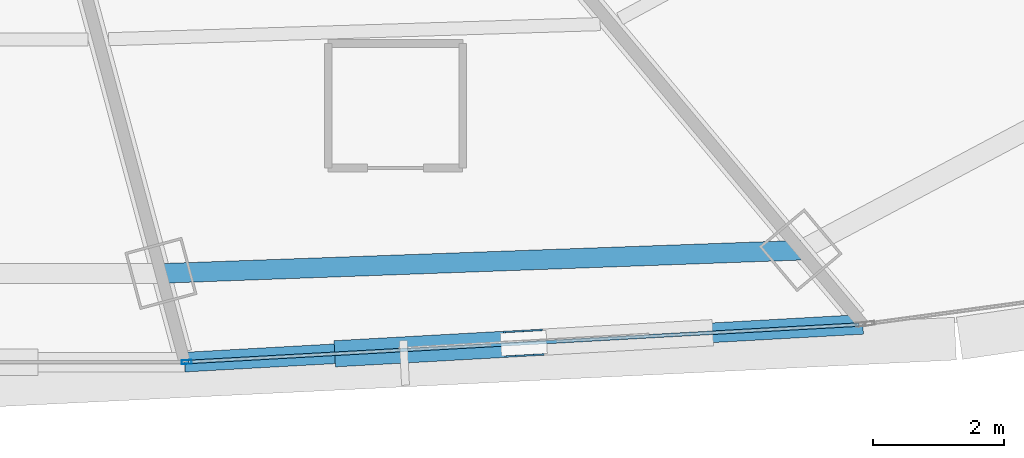
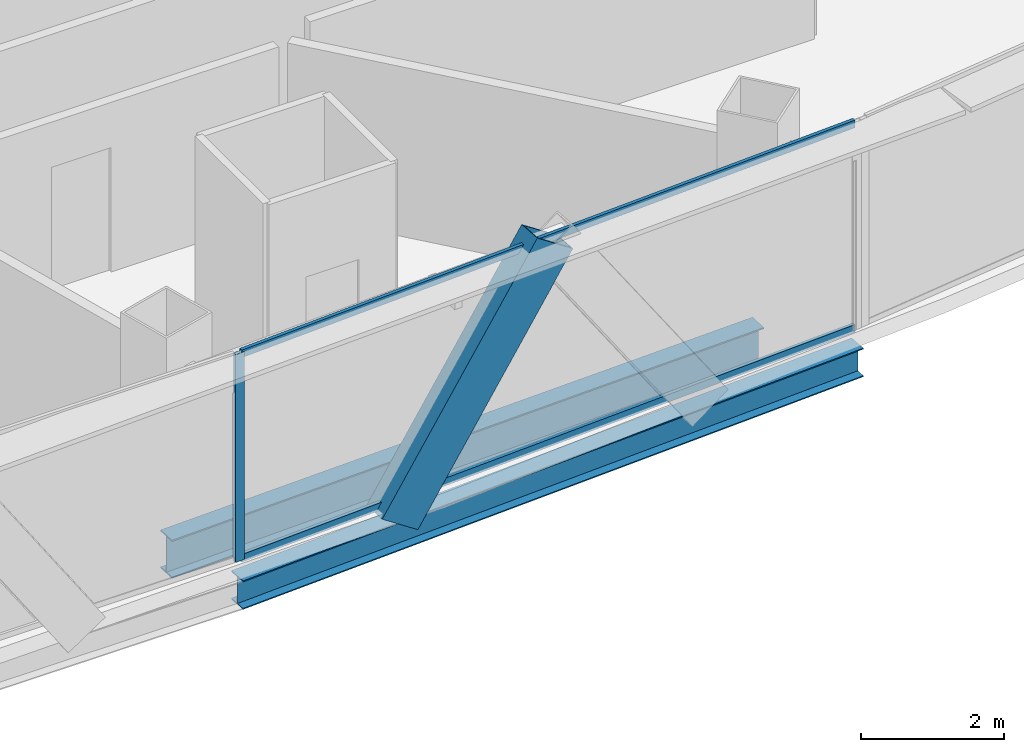
# One storey, part 12 of 36: 4 members, 2 beams, 1 element without a shape of its own.
"""IFC4 building model written with IfcOpenShell, lengths in metres."""

from ifc_helpers import new_model, si_unit, direction, frame, origin, origin_2d, place, context, subcontext, project, spatial, hollow_rectangle, i_section, extrude, source, transform, mapped, material, layer, layer_set, material_profile, profile_set, type_object, element, aggregate, save


model = new_model("IFC4")

# Units and contexts
model_context = context("Model", 3, precision=1e-05, world=origin(), true_north=direction((0.0, 1.0)))
body_context = subcontext(model_context, "Body", "Model", "MODEL_VIEW")
ifc_project = project(units=[si_unit("LENGTHUNIT", "METRE"), si_unit("AREAUNIT", "SQUARE_METRE"), si_unit("VOLUMEUNIT", "CUBIC_METRE"), si_unit("PLANEANGLEUNIT", "RADIAN"), si_unit("MASSUNIT", "GRAM", prefix="KILO"), si_unit("THERMODYNAMICTEMPERATUREUNIT", "KELVIN"), si_unit("POWERUNIT", "WATT")], contexts=[model_context])

# Site, building, storey
site_placement = place(None, origin())
site = spatial("IfcSite", under=ifc_project, at=site_placement, CompositionType="ELEMENT")
building_placement = place(site_placement, origin())
building = spatial("IfcBuilding", under=site, at=building_placement, Name="Yunzhuo Pagoda Commons", CompositionType="ELEMENT")
storey_placement = place(building_placement, frame((0.0, 0.0, 211.360107421875)))
storey = spatial("IfcBuildingStorey", under=building, at=storey_placement, Name="L53", CompositionType="ELEMENT", Elevation=211.360107421875)

# Beams
ifc_material_1 = material(Name="Structural steel Q355B", Category="steel")
ifc_material_profile_1 = material_profile(ifc_material_1, i_section(OverallWidth=0.300048828125, OverallDepth=0.64990234375, WebThickness=0.012939453125, FlangeThickness=0.02197265625, at=origin_2d()), Name="Structural steel Q355B")
ifc_profile_set_1 = profile_set([ifc_material_profile_1], Name="Structural steel Q355B")
beam_type_1 = type_object("IfcBeamType", Name="B-RG2 Beam HN 650x300x13x22", PredefinedType="BEAM", material=ifc_profile_set_1)
shared_shape_1 = source(origin(), body_context, "Body", "SweptSolid", [
    extrude(i_section(OverallWidth=0.300048828125, OverallDepth=0.64990234375, WebThickness=0.012939453125, FlangeThickness=0.02197265625, at=origin_2d()), origin(), (0.0, 0.0, 1.0), 9.754638671875),
])
beam_1_placement = place(storey_placement, frame((52.712890625, 16.1123046875, -0.585205078125), z_axis=(0.999343095614, 0.036240547032, 0.0), x_axis=(-0.036240547032, 0.999343095614, 0.0)))
element("IfcBeam", 1, at=beam_1_placement, inside=storey, type_object=beam_type_1, Name="L53 column-ring beam 3", PredefinedType="BEAM", context=body_context, shape_type="MappedRepresentation", body=[
    mapped(shared_shape_1, transform((0.0, 0.0, 0.0), scale=1.0)),
])
ifc_material_profile_2 = material_profile(ifc_material_1, i_section(OverallWidth=0.300048828125, OverallDepth=0.488037109375, WebThickness=0.010986328125, FlangeThickness=0.01806640625, at=origin_2d()), Name="Structural steel Q355B")
ifc_profile_set_2 = profile_set([ifc_material_profile_2], Name="Structural steel Q355B")
beam_type_2 = type_object("IfcBeamType", Name="B-SP1 Beam HM 488x300x11x18", PredefinedType="BEAM", material=ifc_profile_set_2)
shared_shape_2 = source(origin(), body_context, "Body", "SweptSolid", [
    extrude(i_section(OverallWidth=0.300048828125, OverallDepth=0.488037109375, WebThickness=0.010986328125, FlangeThickness=0.01806640625, at=origin_2d()), origin(), (0.0, 0.0, 1.0), 10.350341796875),
])
beam_2_placement = place(storey_placement, frame((53.074951171875, 14.760498046875, -0.504150390625), z_axis=(0.998451995417, 0.055620255739, 0.0), x_axis=(-0.055620255739, 0.998451995417, 0.0)))
element("IfcBeam", 2, at=beam_2_placement, inside=storey, type_object=beam_type_2, Name="L53 facade edge spandrel beam F1.3", PredefinedType="BEAM", context=body_context, shape_type="MappedRepresentation", body=[
    mapped(shared_shape_2, transform((0.0, 0.0, 0.0), scale=1.0)),
])

# Member
ifc_material_profile_3 = material_profile(ifc_material_1, hollow_rectangle(XDim=0.39990234375, YDim=0.719970703125, WallThickness=0.02392578125, at=origin_2d()), Name="Structural steel Q355B")
ifc_profile_set_3 = profile_set([ifc_material_profile_3], Name="Structural steel Q355B")
member_type_1 = type_object("IfcMemberType", Name="M-DL2 Brace BOX 720x400x24", PredefinedType="BRACE", material=ifc_profile_set_3)
shared_shape_3 = source(origin(), body_context, "Body", "SweptSolid", [
    extrude(hollow_rectangle(XDim=0.39990234375, YDim=0.719970703125, WallThickness=0.02392578125, at=origin_2d()), origin(), (0.0, 0.0, 1.0), 4.59716796875),
])
member_1_placement = place(storey_placement, frame((55.658447265625, 14.904296875, -0.260009765625), z_axis=(0.561978724983, 0.031333155145, 0.826558011306), x_axis=(-0.055668596465, 0.998449301351, 0.0)))
element("IfcMember", 3, at=member_1_placement, inside=storey, type_object=member_type_1, Name="L53 facade diamond brace F1.3L", PredefinedType="BRACE", context=body_context, shape_type="MappedRepresentation", body=[
    mapped(shared_shape_3, transform((0.0, 0.0, 0.0), scale=1.0)),
])

# Curtain wall, members
ifc_material_2 = material(Name="Anodized aluminium 6063-T6", Category="aluminium")
ifc_layer = layer(ifc_material_2, 0.14990234375)
ifc_layer_set = layer_set([ifc_layer], Name="Anodized aluminium 6063-T6")
curtain_wall_type = type_object("IfcCurtainWallType", Name="CW-MID Mid-Zone Ribbon Curtain Wall", PredefinedType="NOTDEFINED", material=ifc_layer_set)
curtain_wall_placement = place(storey_placement, origin())
curtain_wall = element("IfcCurtainWall", 4, at=curtain_wall_placement, inside=storey, type_object=curtain_wall_type, Name="L53 curtain wall CW-L53-F1B4", PredefinedType="NOTDEFINED")
ifc_material_profile_4 = material_profile(ifc_material_2, hollow_rectangle(XDim=0.06005859375, YDim=0.14990234375, WallThickness=0.00390625, at=origin_2d()), Name="Anodized aluminium 6063-T6")
ifc_profile_set_4 = profile_set([ifc_material_profile_4], Name="Anodized aluminium 6063-T6")
member_type_2 = type_object("IfcMemberType", Name="CW-MID-M Mullion RHS 150x60x4", PredefinedType="MULLION", material=ifc_profile_set_4)
shared_shape_4 = source(origin(), body_context, "Body", "SweptSolid", [
    extrude(hollow_rectangle(XDim=0.06005859375, YDim=0.14990234375, WallThickness=0.00390625, at=origin_2d()), origin(), (0.0, 0.0, 1.0), 3.539794921875),
])
member_2_placement = place(storey_placement, frame((53.104736328125, 14.761962890625, 0.0), z_axis=(0.0, 0.0, 1.0), x_axis=(-0.055641789149, 0.998450795633, 0.0)))
member_2 = element("IfcMember", 5, at=member_2_placement, type_object=member_type_2, Name="CW mullion 1", PredefinedType="MULLION", context=body_context, shape_type="MappedRepresentation", body=[
    mapped(shared_shape_4, transform((0.0, 0.0, 0.0), scale=1.0)),
])
ifc_material_profile_5 = material_profile(ifc_material_2, hollow_rectangle(XDim=0.054931640625, YDim=0.1298828125, WallThickness=0.00341796875, at=origin_2d()), Name="Anodized aluminium 6063-T6")
ifc_profile_set_5 = profile_set([ifc_material_profile_5], Name="Anodized aluminium 6063-T6")
member_type_3 = type_object("IfcMemberType", Name="CW-MID-T Transom RHS 130x55x3.5", PredefinedType="USERDEFINED", material=ifc_profile_set_5)
shared_shape_5 = source(origin(), body_context, "Body", "SweptSolid", [
    extrude(hollow_rectangle(XDim=0.054931640625, YDim=0.1298828125, WallThickness=0.00341796875, at=origin_2d()), origin(), (0.0, 0.0, 1.0), 10.230224609375),
])
member_3_placement = place(storey_placement, frame((53.134765625, 14.763671875, 0.02734375), z_axis=(0.998450203238, 0.055652418231, 0.0), x_axis=(-0.055652418231, 0.998450203238, 0.0)))
member_3 = element("IfcMember", 6, at=member_3_placement, type_object=member_type_3, Name="CW transom 1.1", ObjectType="TRANSOM", PredefinedType="USERDEFINED", context=body_context, shape_type="MappedRepresentation", body=[
    mapped(shared_shape_5, transform((0.0, 0.0, 0.0), scale=1.0)),
])
member_4_placement = place(storey_placement, frame((53.134765625, 14.763671875, 3.512451171875), z_axis=(0.998450203238, 0.055652418231, 0.0), x_axis=(-0.055652418231, 0.998450203238, 0.0)))
member_4 = element("IfcMember", 7, at=member_4_placement, type_object=member_type_3, Name="CW transom 1.2", ObjectType="TRANSOM", PredefinedType="USERDEFINED", context=body_context, shape_type="MappedRepresentation", body=[
    mapped(shared_shape_5, transform((0.0, 0.0, 0.0), scale=1.0)),
])
aggregate(curtain_wall, [member_2, member_3, member_4])

save(model, "model.ifc")
